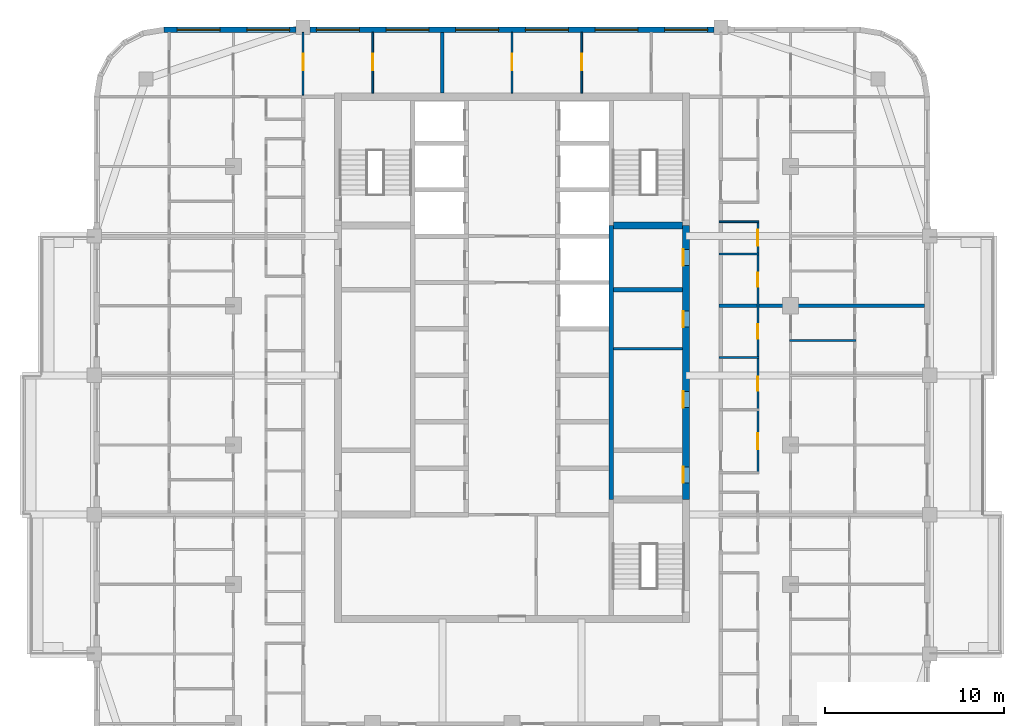
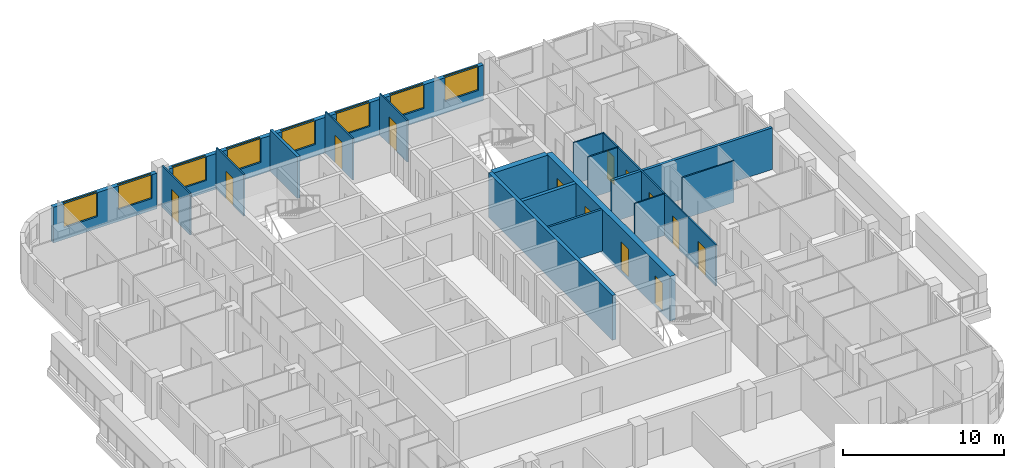
# One storey, part 10 of 16: 18 walls, 13 doors, 8 windows, 21 openings.
"""IFC4 building model written with IfcOpenShell, lengths in metres."""

from ifc_helpers import new_model, si_unit, direction, frame, frame_2d, origin, place, context, subcontext, project, spatial, rectangle, extrude, material, layer, layer_set, type_object, element, fill, save


model = new_model("IFC4")

# Units and contexts
model_context = context("Model", 3, precision=1e-05, world=origin(), true_north=direction((0.0, 1.0)))
body_context = subcontext(model_context, "Body", "Model", "MODEL_VIEW")
ifc_project = project(units=[si_unit("LENGTHUNIT", "METRE"), si_unit("AREAUNIT", "SQUARE_METRE"), si_unit("VOLUMEUNIT", "CUBIC_METRE"), si_unit("PLANEANGLEUNIT", "RADIAN"), si_unit("MASSUNIT", "GRAM", prefix="KILO")], contexts=[model_context])

# Site, building, storey
site_placement = place(None, origin())
site = spatial("IfcSite", under=ifc_project, at=site_placement, CompositionType="ELEMENT")
building_placement = place(site_placement, origin())
building = spatial("IfcBuilding", under=site, at=building_placement, Name="Ludao Terraces", CompositionType="ELEMENT")
storey_placement = place(building_placement, frame((0.0, 0.0, 204.10009765625)))
storey = spatial("IfcBuildingStorey", under=building, at=storey_placement, Name="L55", CompositionType="ELEMENT", Elevation=204.10009765625)

# Wall, openings, doors
ifc_material_1 = material(Name="Concrete C50", Category="concrete")
ifc_layer_1 = layer(ifc_material_1, 0.39990234375)
ifc_layer_set_1 = layer_set([ifc_layer_1], Name="Core wall 400 C50")
wall_type_1 = type_object("IfcWallType", Name="Core wall 400 C50", PredefinedType="SOLIDWALL", material=ifc_layer_set_1)
wall_1_placement = place(storey_placement, frame((94.75, 61.949951171875, -0.25), z_axis=(0.0, 0.0, 1.0), x_axis=(0.0, 1.0, 0.0)))
wall_1 = element("IfcWall", 1, at=wall_1_placement, inside=storey, type_object=wall_type_1, Name="Core wall L55 outer-E", PredefinedType="SOLIDWALL", context=body_context, shape_type="SweptSolid", body=[
    extrude(rectangle(XDim=15.35009765625, YDim=0.39990234375, at=frame_2d((7.675048828125, 0.0))), origin(), (0.0, 0.0, 1.0), 3.39990234375),
])
opening_1_placement = place(wall_1_placement, frame((0.925048828125, 0.0, 0.25)))
opening_1 = element("IfcOpeningElement", 2, at=opening_1_placement, cuts=wall_1, Name="Opening R20-058", PredefinedType="OPENING", context=body_context, shape_type="SweptSolid", body=[
    extrude(rectangle(XDim=0.89990234375, YDim=2.10009765625, at=frame_2d((0.449951171875, 1.050048828125))), frame((0.0, 0.2099609375, 0.0), z_axis=(0.0, -1.0, 0.0), x_axis=(1.0, 0.0, 0.0)), (0.0, 0.0, 1.0), 0.419921875),
])
opening_2_placement = place(wall_1_placement, frame((5.14990234375, 0.0, 0.25)))
opening_2 = element("IfcOpeningElement", 3, at=opening_2_placement, cuts=wall_1, Name="Opening R20-071", PredefinedType="OPENING", context=body_context, shape_type="SweptSolid", body=[
    extrude(rectangle(XDim=0.89990234375, YDim=2.10009765625, at=frame_2d((0.449951171875, 1.050048828125))), frame((0.0, 0.2099609375, 0.0), z_axis=(0.0, -1.0, 0.0), x_axis=(1.0, 0.0, 0.0)), (0.0, 0.0, 1.0), 0.419921875),
])
opening_3_placement = place(wall_1_placement, frame((9.64990234375, 0.0, 0.25)))
opening_3 = element("IfcOpeningElement", 4, at=opening_3_placement, cuts=wall_1, Name="Opening R20-086", PredefinedType="OPENING", context=body_context, shape_type="SweptSolid", body=[
    extrude(rectangle(XDim=0.89990234375, YDim=2.10009765625, at=frame_2d((0.449951171875, 1.050048828125))), frame((0.0, 0.2099609375, 0.0), z_axis=(0.0, -1.0, 0.0), x_axis=(1.0, 0.0, 0.0)), (0.0, 0.0, 1.0), 0.419921875),
])
opening_4_placement = place(wall_1_placement, frame((13.10009765625, 0.0, 0.25)))
opening_4 = element("IfcOpeningElement", 5, at=opening_4_placement, cuts=wall_1, Name="Opening R20-097", PredefinedType="OPENING", context=body_context, shape_type="SweptSolid", body=[
    extrude(rectangle(XDim=0.89990234375, YDim=2.10009765625, at=frame_2d((0.449951171875, 1.050048828125))), frame((0.0, 0.2099609375, 0.0), z_axis=(0.0, -1.0, 0.0), x_axis=(1.0, 0.0, 0.0)), (0.0, 0.0, 1.0), 0.419921875),
])
ifc_material_2 = material(Name="Steel Q235", Category="steel")
door_type_1 = type_object("IfcDoorType", Name="INT Riser door 900", OperationType="SINGLE_SWING_LEFT", PredefinedType="DOOR", material=ifc_material_2)
door_1_placement = place(opening_1_placement, origin())
door_1 = element("IfcDoor", 6, at=door_1_placement, inside=storey, type_object=door_type_1, Name="DOOR 058", OperationType="SINGLE_SWING_LEFT", OverallHeight=2.10009765625, OverallWidth=0.89990234375, PredefinedType="DOOR", context=body_context, shape_type="SweptSolid", body=[
    extrude(rectangle(XDim=0.89990234375, YDim=2.10009765625, at=frame_2d((0.449951171875, 1.050048828125))), frame((0.0, 0.18505859375, 0.0), z_axis=(0.0, -1.0, 0.0), x_axis=(1.0, 0.0, 0.0)), (0.0, 0.0, 1.0), 0.050048828125),
])
fill(opening_1, door_1)
door_2_placement = place(opening_4_placement, origin())
door_2 = element("IfcDoor", 7, at=door_2_placement, inside=storey, type_object=door_type_1, Name="DOOR 097", OperationType="SINGLE_SWING_RIGHT", OverallHeight=2.10009765625, OverallWidth=0.89990234375, PredefinedType="DOOR", context=body_context, shape_type="SweptSolid", body=[
    extrude(rectangle(XDim=0.89990234375, YDim=2.10009765625, at=frame_2d((0.449951171875, 1.050048828125))), frame((0.0, 0.18505859375, 0.0), z_axis=(0.0, -1.0, 0.0), x_axis=(1.0, 0.0, 0.0)), (0.0, 0.0, 1.0), 0.050048828125),
])
fill(opening_4, door_2)
ifc_material_3 = material(Name="Timber door leaf", Category="wood")
door_type_2 = type_object("IfcDoorType", Name="INT Room door 900", OperationType="SINGLE_SWING_LEFT", PredefinedType="DOOR", material=ifc_material_3)
door_3_placement = place(opening_2_placement, origin())
door_3 = element("IfcDoor", 8, at=door_3_placement, inside=storey, type_object=door_type_2, Name="DOOR 071", OperationType="SINGLE_SWING_LEFT", OverallHeight=2.10009765625, OverallWidth=0.89990234375, PredefinedType="DOOR", context=body_context, shape_type="SweptSolid", body=[
    extrude(rectangle(XDim=0.89990234375, YDim=2.10009765625, at=frame_2d((0.449951171875, 1.050048828125))), frame((0.0, 0.18505859375, 0.0), z_axis=(0.0, -1.0, 0.0), x_axis=(1.0, 0.0, 0.0)), (0.0, 0.0, 1.0), 0.050048828125),
])
fill(opening_2, door_3)
door_4_placement = place(opening_3_placement, origin())
door_4 = element("IfcDoor", 9, at=door_4_placement, inside=storey, type_object=door_type_2, Name="DOOR 086", OperationType="SINGLE_SWING_LEFT", OverallHeight=2.10009765625, OverallWidth=0.89990234375, PredefinedType="DOOR", context=body_context, shape_type="SweptSolid", body=[
    extrude(rectangle(XDim=0.89990234375, YDim=2.10009765625, at=frame_2d((0.449951171875, 1.050048828125))), frame((0.0, 0.18505859375, 0.0), z_axis=(0.0, -1.0, 0.0), x_axis=(1.0, 0.0, 0.0)), (0.0, 0.0, 1.0), 0.050048828125),
])
fill(opening_3, door_4)

# Wall, openings, windows
ifc_material_4 = material(Name="Granite cladding", Category="masonry")
ifc_layer_2 = layer(ifc_material_4, 0.0400390625, Category="stone")
ifc_material_5 = material(Name="Mineral wool")
ifc_layer_3 = layer(ifc_material_5, 0.06005859375)
ifc_material_6 = material(Name="Concrete C40", Category="concrete")
ifc_layer_4 = layer(ifc_material_6, 0.199951171875, Category="concrete")
ifc_layer_set_2 = layer_set([ifc_layer_2, ifc_layer_3, ifc_layer_4], Name="ENV Stone-clad wall 300")
wall_type_2 = type_object("IfcWallType", Name="ENV Stone-clad wall 300", PredefinedType="SOLIDWALL", material=ifc_layer_set_2)
wall_2_placement = place(storey_placement, frame((65.5, 88.25, 0.0), z_axis=(0.0, 0.0, 1.0), x_axis=(1.0, 0.0, 0.0)))
wall_2 = element("IfcWall", 10, at=wall_2_placement, inside=storey, type_object=wall_type_2, Name="EW-L55-N1", PredefinedType="SOLIDWALL", context=body_context, shape_type="SweptSolid", body=[
    extrude(rectangle(XDim=7.39990234375, YDim=0.300048828125, at=frame_2d((3.699951171875, 0.0))), origin(), (0.0, 0.0, 1.0), 2.699951171875),
])
opening_5_placement = place(wall_2_placement, frame((0.75, 0.0, 0.89990234375)))
opening_5 = element("IfcOpeningElement", 11, at=opening_5_placement, cuts=wall_2, Name="Opening W1", PredefinedType="OPENING", context=body_context, shape_type="SweptSolid", body=[
    extrude(rectangle(XDim=2.39990234375, YDim=1.800048828125, at=frame_2d((1.199951171875, 0.89990234375))), frame((0.0, 0.16015625, 0.0), z_axis=(0.0, -1.0, 0.0), x_axis=(1.0, 0.0, 0.0)), (0.0, 0.0, 1.0), 0.320068359375),
])
opening_6_placement = place(wall_2_placement, frame((4.64990234375, 0.0, 0.89990234375)))
opening_6 = element("IfcOpeningElement", 12, at=opening_6_placement, cuts=wall_2, Name="Opening W1", PredefinedType="OPENING", context=body_context, shape_type="SweptSolid", body=[
    extrude(rectangle(XDim=2.39990234375, YDim=1.800048828125, at=frame_2d((1.199951171875, 0.89990234375))), frame((0.0, 0.16015625, 0.0), z_axis=(0.0, -1.0, 0.0), x_axis=(1.0, 0.0, 0.0)), (0.0, 0.0, 1.0), 0.320068359375),
])
ifc_material_7 = material(Name="Clear glass in aluminium frame", Category="aluminium")
ifc_layer_5 = layer(ifc_material_7, 0.06005859375)
ifc_layer_set_3 = layer_set([ifc_layer_5], Name="ENV Window W1 2400x1800")
window_type = type_object("IfcWindowType", Name="ENV Window W1 2400x1800", PartitioningType="DOUBLE_PANEL_VERTICAL", PredefinedType="WINDOW", material=ifc_layer_set_3)
window_1_placement = place(opening_5_placement, origin())
window_1 = element("IfcWindow", 13, at=window_1_placement, inside=storey, type_object=window_type, Name="W-L55-N1-1", OverallHeight=1.800048828125, OverallWidth=2.39990234375, PartitioningType="DOUBLE_PANEL_VERTICAL", PredefinedType="WINDOW", context=body_context, shape_type="SweptSolid", body=[
    extrude(rectangle(XDim=2.39990234375, YDim=1.800048828125, at=frame_2d((1.199951171875, 0.89990234375))), frame((0.0, 0.030029296875, 0.0), z_axis=(0.0, -1.0, 0.0), x_axis=(1.0, 0.0, 0.0)), (0.0, 0.0, 1.0), 0.06005859375),
])
fill(opening_5, window_1)
window_2_placement = place(opening_6_placement, origin())
window_2 = element("IfcWindow", 14, at=window_2_placement, inside=storey, type_object=window_type, Name="W-L55-N1-2", OverallHeight=1.800048828125, OverallWidth=2.39990234375, PartitioningType="DOUBLE_PANEL_VERTICAL", PredefinedType="WINDOW", context=body_context, shape_type="SweptSolid", body=[
    extrude(rectangle(XDim=2.39990234375, YDim=1.800048828125, at=frame_2d((1.199951171875, 0.89990234375))), frame((0.0, 0.030029296875, 0.0), z_axis=(0.0, -1.0, 0.0), x_axis=(1.0, 0.0, 0.0)), (0.0, 0.0, 1.0), 0.06005859375),
])
fill(opening_6, window_2)

wall_3_placement = place(storey_placement, frame((73.699951171875, 88.25, 0.0), z_axis=(0.0, 0.0, 1.0), x_axis=(1.0, 0.0, 0.0)))
wall_3 = element("IfcWall", 15, at=wall_3_placement, inside=storey, type_object=wall_type_2, Name="EW-L55-N2", PredefinedType="SOLIDWALL", context=body_context, shape_type="SweptSolid", body=[
    extrude(rectangle(XDim=22.60009765625, YDim=0.300048828125, at=frame_2d((11.300048828125, 0.0))), origin(), (0.0, 0.0, 1.0), 2.699951171875),
])
opening_7_placement = place(wall_3_placement, frame((0.35009765625, 0.0, 0.89990234375)))
opening_7 = element("IfcOpeningElement", 16, at=opening_7_placement, cuts=wall_3, Name="Opening W1", PredefinedType="OPENING", context=body_context, shape_type="SweptSolid", body=[
    extrude(rectangle(XDim=2.39990234375, YDim=1.800048828125, at=frame_2d((1.199951171875, 0.89990234375))), frame((0.0, 0.16015625, 0.0), z_axis=(0.0, -1.0, 0.0), x_axis=(1.0, 0.0, 0.0)), (0.0, 0.0, 1.0), 0.320068359375),
])
opening_8_placement = place(wall_3_placement, frame((4.25, 0.0, 0.89990234375)))
opening_8 = element("IfcOpeningElement", 17, at=opening_8_placement, cuts=wall_3, Name="Opening W1", PredefinedType="OPENING", context=body_context, shape_type="SweptSolid", body=[
    extrude(rectangle(XDim=2.39990234375, YDim=1.800048828125, at=frame_2d((1.199951171875, 0.89990234375))), frame((0.0, 0.16015625, 0.0), z_axis=(0.0, -1.0, 0.0), x_axis=(1.0, 0.0, 0.0)), (0.0, 0.0, 1.0), 0.320068359375),
])
opening_9_placement = place(wall_3_placement, frame((8.14990234375, 0.0, 0.89990234375)))
opening_9 = element("IfcOpeningElement", 18, at=opening_9_placement, cuts=wall_3, Name="Opening W1", PredefinedType="OPENING", context=body_context, shape_type="SweptSolid", body=[
    extrude(rectangle(XDim=2.39990234375, YDim=1.800048828125, at=frame_2d((1.199951171875, 0.89990234375))), frame((0.0, 0.16015625, 0.0), z_axis=(0.0, -1.0, 0.0), x_axis=(1.0, 0.0, 0.0)), (0.0, 0.0, 1.0), 0.320068359375),
])
opening_10_placement = place(wall_3_placement, frame((12.050048828125, 0.0, 0.89990234375)))
opening_10 = element("IfcOpeningElement", 19, at=opening_10_placement, cuts=wall_3, Name="Opening W1", PredefinedType="OPENING", context=body_context, shape_type="SweptSolid", body=[
    extrude(rectangle(XDim=2.39990234375, YDim=1.800048828125, at=frame_2d((1.199951171875, 0.89990234375))), frame((0.0, 0.16015625, 0.0), z_axis=(0.0, -1.0, 0.0), x_axis=(1.0, 0.0, 0.0)), (0.0, 0.0, 1.0), 0.320068359375),
])
opening_11_placement = place(wall_3_placement, frame((15.949951171875, 0.0, 0.89990234375)))
opening_11 = element("IfcOpeningElement", 20, at=opening_11_placement, cuts=wall_3, Name="Opening W1", PredefinedType="OPENING", context=body_context, shape_type="SweptSolid", body=[
    extrude(rectangle(XDim=2.39990234375, YDim=1.800048828125, at=frame_2d((1.199951171875, 0.89990234375))), frame((0.0, 0.16015625, 0.0), z_axis=(0.0, -1.0, 0.0), x_axis=(1.0, 0.0, 0.0)), (0.0, 0.0, 1.0), 0.320068359375),
])
opening_12_placement = place(wall_3_placement, frame((19.85009765625, 0.0, 0.89990234375)))
opening_12 = element("IfcOpeningElement", 21, at=opening_12_placement, cuts=wall_3, Name="Opening W1", PredefinedType="OPENING", context=body_context, shape_type="SweptSolid", body=[
    extrude(rectangle(XDim=2.39990234375, YDim=1.800048828125, at=frame_2d((1.199951171875, 0.89990234375))), frame((0.0, 0.16015625, 0.0), z_axis=(0.0, -1.0, 0.0), x_axis=(1.0, 0.0, 0.0)), (0.0, 0.0, 1.0), 0.320068359375),
])
window_3_placement = place(opening_7_placement, origin())
window_3 = element("IfcWindow", 22, at=window_3_placement, inside=storey, type_object=window_type, Name="W-L55-N2-1", OverallHeight=1.800048828125, OverallWidth=2.39990234375, PartitioningType="DOUBLE_PANEL_VERTICAL", PredefinedType="WINDOW", context=body_context, shape_type="SweptSolid", body=[
    extrude(rectangle(XDim=2.39990234375, YDim=1.800048828125, at=frame_2d((1.199951171875, 0.89990234375))), frame((0.0, 0.030029296875, 0.0), z_axis=(0.0, -1.0, 0.0), x_axis=(1.0, 0.0, 0.0)), (0.0, 0.0, 1.0), 0.06005859375),
])
fill(opening_7, window_3)
window_4_placement = place(opening_8_placement, origin())
window_4 = element("IfcWindow", 23, at=window_4_placement, inside=storey, type_object=window_type, Name="W-L55-N2-2", OverallHeight=1.800048828125, OverallWidth=2.39990234375, PartitioningType="DOUBLE_PANEL_VERTICAL", PredefinedType="WINDOW", context=body_context, shape_type="SweptSolid", body=[
    extrude(rectangle(XDim=2.39990234375, YDim=1.800048828125, at=frame_2d((1.199951171875, 0.89990234375))), frame((0.0, 0.030029296875, 0.0), z_axis=(0.0, -1.0, 0.0), x_axis=(1.0, 0.0, 0.0)), (0.0, 0.0, 1.0), 0.06005859375),
])
fill(opening_8, window_4)
window_5_placement = place(opening_9_placement, origin())
window_5 = element("IfcWindow", 24, at=window_5_placement, inside=storey, type_object=window_type, Name="W-L55-N2-3", OverallHeight=1.800048828125, OverallWidth=2.39990234375, PartitioningType="DOUBLE_PANEL_VERTICAL", PredefinedType="WINDOW", context=body_context, shape_type="SweptSolid", body=[
    extrude(rectangle(XDim=2.39990234375, YDim=1.800048828125, at=frame_2d((1.199951171875, 0.89990234375))), frame((0.0, 0.030029296875, 0.0), z_axis=(0.0, -1.0, 0.0), x_axis=(1.0, 0.0, 0.0)), (0.0, 0.0, 1.0), 0.06005859375),
])
fill(opening_9, window_5)
window_6_placement = place(opening_10_placement, origin())
window_6 = element("IfcWindow", 25, at=window_6_placement, inside=storey, type_object=window_type, Name="W-L55-N2-4", OverallHeight=1.800048828125, OverallWidth=2.39990234375, PartitioningType="DOUBLE_PANEL_VERTICAL", PredefinedType="WINDOW", context=body_context, shape_type="SweptSolid", body=[
    extrude(rectangle(XDim=2.39990234375, YDim=1.800048828125, at=frame_2d((1.199951171875, 0.89990234375))), frame((0.0, 0.030029296875, 0.0), z_axis=(0.0, -1.0, 0.0), x_axis=(1.0, 0.0, 0.0)), (0.0, 0.0, 1.0), 0.06005859375),
])
fill(opening_10, window_6)
window_7_placement = place(opening_11_placement, origin())
window_7 = element("IfcWindow", 26, at=window_7_placement, inside=storey, type_object=window_type, Name="W-L55-N2-5", OverallHeight=1.800048828125, OverallWidth=2.39990234375, PartitioningType="DOUBLE_PANEL_VERTICAL", PredefinedType="WINDOW", context=body_context, shape_type="SweptSolid", body=[
    extrude(rectangle(XDim=2.39990234375, YDim=1.800048828125, at=frame_2d((1.199951171875, 0.89990234375))), frame((0.0, 0.030029296875, 0.0), z_axis=(0.0, -1.0, 0.0), x_axis=(1.0, 0.0, 0.0)), (0.0, 0.0, 1.0), 0.06005859375),
])
fill(opening_11, window_7)
window_8_placement = place(opening_12_placement, origin())
window_8 = element("IfcWindow", 27, at=window_8_placement, inside=storey, type_object=window_type, Name="W-L55-N2-6", OverallHeight=1.800048828125, OverallWidth=2.39990234375, PartitioningType="DOUBLE_PANEL_VERTICAL", PredefinedType="WINDOW", context=body_context, shape_type="SweptSolid", body=[
    extrude(rectangle(XDim=2.39990234375, YDim=1.800048828125, at=frame_2d((1.199951171875, 0.89990234375))), frame((0.0, 0.030029296875, 0.0), z_axis=(0.0, -1.0, 0.0), x_axis=(1.0, 0.0, 0.0)), (0.0, 0.0, 1.0), 0.06005859375),
])
fill(opening_12, window_8)

# Walls
ifc_material_8 = material(Name="Fire-rated gypsum plasterboard", Category="gypsum")
ifc_layer_6 = layer(ifc_material_8, 0.012451171875, Category="gypsum")
ifc_layer_7 = layer(ifc_material_5, 0.10009765625, Name="insulation")
ifc_layer_8 = layer(ifc_material_2, 0.02490234375, Name="stud")
ifc_layer_9 = layer(ifc_material_8, 0.012451171875, Category="gypsum")
ifc_layer_set_4 = layer_set([ifc_layer_6, ifc_layer_7, ifc_layer_8, ifc_layer_9], Name="INT Core partition 150")
wall_type_3 = type_object("IfcWallType", Name="INT Core partition 150", PredefinedType="PARTITIONING", material=ifc_layer_set_4)
wall_4_placement = place(storey_placement, frame((90.675048828125, 70.39990234375, 0.0), z_axis=(0.0, 0.0, 1.0), x_axis=(1.0, 0.0, 0.0)))
element("IfcWall", 28, at=wall_4_placement, inside=storey, type_object=wall_type_3, Name="PW-L55-PW042", PredefinedType="PARTITIONING", context=body_context, shape_type="SweptSolid", body=[
    extrude(rectangle(XDim=3.875, YDim=0.14990234375, at=frame_2d((1.9375, 0.0))), origin(), (0.0, 0.0, 1.0), 3.14990234375),
])
ifc_material_9 = material(Name="Gypsum plasterboard", Category="gypsum")
ifc_layer_10 = layer(ifc_material_9, 0.012451171875, Category="gypsum")
ifc_layer_11 = layer(ifc_material_5, 0.06005859375, Name="insulation")
ifc_layer_12 = layer(ifc_material_2, 0.014892578125, Name="stud")
ifc_layer_13 = layer(ifc_material_9, 0.012451171875, Category="gypsum")
ifc_layer_set_5 = layer_set([ifc_layer_10, ifc_layer_11, ifc_layer_12, ifc_layer_13], Name="INT Partition 100")
wall_type_4 = type_object("IfcWallType", Name="INT Partition 100", PredefinedType="PARTITIONING", material=ifc_layer_set_5)
wall_5_placement = place(storey_placement, frame((96.60009765625, 69.89990234375, 0.0), z_axis=(0.0, 0.0, 1.0), x_axis=(1.0, 0.0, 0.0)))
element("IfcWall", 29, at=wall_5_placement, inside=storey, type_object=wall_type_4, Name="PW-L55-PW040", PredefinedType="PARTITIONING", context=body_context, shape_type="SweptSolid", body=[
    extrude(rectangle(XDim=2.219970703125, YDim=0.10009765625, at=frame_2d((1.10986328125, 0.0))), origin(), (0.0, 0.0, 1.0), 3.14990234375),
])
wall_6_placement = place(storey_placement, frame((100.550048828125, 70.85009765625, 0.0), z_axis=(0.0, 0.0, 1.0), x_axis=(1.0, 0.0, 0.0)))
element("IfcWall", 30, at=wall_6_placement, inside=storey, type_object=wall_type_4, Name="PW-L55-PW043", PredefinedType="PARTITIONING", context=body_context, shape_type="SweptSolid", body=[
    extrude(rectangle(XDim=3.699951171875, YDim=0.10009765625, at=frame_2d((1.85009765625, 0.0))), origin(), (0.0, 0.0, 1.0), 3.14990234375),
])
for number, where, z_axis, x_axis, name in (
    (31, (96.60009765625, 75.699951171875, 0.0), (0.0, 0.0, 1.0), (1.0, 0.0, 0.0), "PW-L55-PW051"),
    (32, (96.60009765625, 77.5, 0.0), (0.0, 0.0, 1.0), (1.0, 0.0, 0.0), "PW-L55-PW055"),
):
    element("IfcWall", number, at=place(storey_placement, frame(where, z_axis=z_axis, x_axis=x_axis)), inside=storey, type_object=wall_type_4, Name=name, PredefinedType="PARTITIONING", context=body_context, shape_type="SweptSolid", body=[
        extrude(rectangle(XDim=2.219970703125, YDim=0.10009765625, at=frame_2d((1.10986328125, 0.0))), origin(), (0.0, 0.0, 1.0), 3.14990234375),
    ])

# Wall, opening, door
wall_7_placement = place(storey_placement, frame((73.300048828125, 84.60009765625, 0.0), z_axis=(0.0, 0.0, 1.0), x_axis=(0.0, 1.0, 0.0)))
wall_7 = element("IfcWall", 33, at=wall_7_placement, inside=storey, type_object=wall_type_4, Name="PW-L55-PW079", PredefinedType="PARTITIONING", context=body_context, shape_type="SweptSolid", body=[
    extrude(rectangle(XDim=3.5, YDim=0.10009765625, at=frame_2d((1.75, 0.0))), origin(), (0.0, 0.0, 1.0), 3.14990234375),
])
opening_13_placement = place(wall_7_placement, frame((1.39990234375, 0.0, 0.0)))
opening_13 = element("IfcOpeningElement", 34, at=opening_13_placement, cuts=wall_7, Name="Opening R20-135", PredefinedType="OPENING", context=body_context, shape_type="SweptSolid", body=[
    extrude(rectangle(XDim=0.89990234375, YDim=2.10009765625, at=frame_2d((0.449951171875, 1.050048828125))), frame((0.0, 0.06005859375, 0.0), z_axis=(0.0, -1.0, 0.0), x_axis=(1.0, 0.0, 0.0)), (0.0, 0.0, 1.0), 0.1201171875),
])
door_5_placement = place(opening_13_placement, origin())
door_5 = element("IfcDoor", 35, at=door_5_placement, inside=storey, type_object=door_type_2, Name="DOOR 135", OperationType="SINGLE_SWING_LEFT", OverallHeight=2.10009765625, OverallWidth=0.89990234375, PredefinedType="DOOR", context=body_context, shape_type="SweptSolid", body=[
    extrude(rectangle(XDim=0.89990234375, YDim=2.10009765625, at=frame_2d((0.449951171875, 1.050048828125))), frame((0.0, 0.02490234375, 0.0), z_axis=(0.0, -1.0, 0.0), x_axis=(1.0, 0.0, 0.0)), (0.0, 0.0, 1.0), 0.050048828125),
])
fill(opening_13, door_5)

wall_8_placement = place(storey_placement, frame((77.199951171875, 84.7001953125, 0.0), z_axis=(0.0, 0.0, 1.0), x_axis=(0.0, 1.0, 0.0)))
wall_8 = element("IfcWall", 36, at=wall_8_placement, inside=storey, type_object=wall_type_4, Name="PW-L55-PW081", PredefinedType="PARTITIONING", context=body_context, shape_type="SweptSolid", body=[
    extrude(rectangle(XDim=3.39990234375, YDim=0.10009765625, at=frame_2d((1.699951171875, 0.0))), origin(), (0.0, 0.0, 1.0), 3.14990234375),
])
opening_14_placement = place(wall_8_placement, frame((1.2998046875, 0.0, 0.0)))
opening_14 = element("IfcOpeningElement", 37, at=opening_14_placement, cuts=wall_8, Name="Opening R20-136", PredefinedType="OPENING", context=body_context, shape_type="SweptSolid", body=[
    extrude(rectangle(XDim=0.89990234375, YDim=2.10009765625, at=frame_2d((0.449951171875, 1.050048828125))), frame((0.0, 0.06005859375, 0.0), z_axis=(0.0, -1.0, 0.0), x_axis=(1.0, 0.0, 0.0)), (0.0, 0.0, 1.0), 0.1201171875),
])
door_6_placement = place(opening_14_placement, origin())
door_6 = element("IfcDoor", 38, at=door_6_placement, inside=storey, type_object=door_type_2, Name="DOOR 136", OperationType="SINGLE_SWING_LEFT", OverallHeight=2.10009765625, OverallWidth=0.89990234375, PredefinedType="DOOR", context=body_context, shape_type="SweptSolid", body=[
    extrude(rectangle(XDim=0.89990234375, YDim=2.10009765625, at=frame_2d((0.449951171875, 1.050048828125))), frame((0.0, 0.02490234375, 0.0), z_axis=(0.0, -1.0, 0.0), x_axis=(1.0, 0.0, 0.0)), (0.0, 0.0, 1.0), 0.050048828125),
])
fill(opening_14, door_6)

wall_9_placement = place(storey_placement, frame((85.0, 84.7001953125, 0.0), z_axis=(0.0, 0.0, 1.0), x_axis=(0.0, 1.0, 0.0)))
wall_9 = element("IfcWall", 39, at=wall_9_placement, inside=storey, type_object=wall_type_4, Name="PW-L55-PW084", PredefinedType="PARTITIONING", context=body_context, shape_type="SweptSolid", body=[
    extrude(rectangle(XDim=3.39990234375, YDim=0.10009765625, at=frame_2d((1.699951171875, 0.0))), origin(), (0.0, 0.0, 1.0), 3.14990234375),
])
opening_15_placement = place(wall_9_placement, frame((1.2998046875, 0.0, 0.0)))
opening_15 = element("IfcOpeningElement", 40, at=opening_15_placement, cuts=wall_9, Name="Opening R20-137", PredefinedType="OPENING", context=body_context, shape_type="SweptSolid", body=[
    extrude(rectangle(XDim=0.89990234375, YDim=2.10009765625, at=frame_2d((0.449951171875, 1.050048828125))), frame((0.0, 0.06005859375, 0.0), z_axis=(0.0, -1.0, 0.0), x_axis=(1.0, 0.0, 0.0)), (0.0, 0.0, 1.0), 0.1201171875),
])
door_7_placement = place(opening_15_placement, origin())
door_7 = element("IfcDoor", 41, at=door_7_placement, inside=storey, type_object=door_type_2, Name="DOOR 137", OperationType="SINGLE_SWING_RIGHT", OverallHeight=2.10009765625, OverallWidth=0.89990234375, PredefinedType="DOOR", context=body_context, shape_type="SweptSolid", body=[
    extrude(rectangle(XDim=0.89990234375, YDim=2.10009765625, at=frame_2d((0.449951171875, 1.050048828125))), frame((0.0, 0.02490234375, 0.0), z_axis=(0.0, -1.0, 0.0), x_axis=(1.0, 0.0, 0.0)), (0.0, 0.0, 1.0), 0.050048828125),
])
fill(opening_15, door_7)

wall_10_placement = place(storey_placement, frame((88.89990234375, 84.7001953125, 0.0), z_axis=(0.0, 0.0, 1.0), x_axis=(0.0, 1.0, 0.0)))
wall_10 = element("IfcWall", 42, at=wall_10_placement, inside=storey, type_object=wall_type_4, Name="PW-L55-PW087", PredefinedType="PARTITIONING", context=body_context, shape_type="SweptSolid", body=[
    extrude(rectangle(XDim=3.39990234375, YDim=0.10009765625, at=frame_2d((1.699951171875, 0.0))), origin(), (0.0, 0.0, 1.0), 3.14990234375),
])
opening_16_placement = place(wall_10_placement, frame((1.2998046875, 0.0, 0.0)))
opening_16 = element("IfcOpeningElement", 43, at=opening_16_placement, cuts=wall_10, Name="Opening R20-138", PredefinedType="OPENING", context=body_context, shape_type="SweptSolid", body=[
    extrude(rectangle(XDim=0.89990234375, YDim=2.10009765625, at=frame_2d((0.449951171875, 1.050048828125))), frame((0.0, 0.06005859375, 0.0), z_axis=(0.0, -1.0, 0.0), x_axis=(1.0, 0.0, 0.0)), (0.0, 0.0, 1.0), 0.1201171875),
])
door_8_placement = place(opening_16_placement, origin())
door_8 = element("IfcDoor", 44, at=door_8_placement, inside=storey, type_object=door_type_2, Name="DOOR 138", OperationType="SINGLE_SWING_LEFT", OverallHeight=2.10009765625, OverallWidth=0.89990234375, PredefinedType="DOOR", context=body_context, shape_type="SweptSolid", body=[
    extrude(rectangle(XDim=0.89990234375, YDim=2.10009765625, at=frame_2d((0.449951171875, 1.050048828125))), frame((0.0, 0.02490234375, 0.0), z_axis=(0.0, -1.0, 0.0), x_axis=(1.0, 0.0, 0.0)), (0.0, 0.0, 1.0), 0.050048828125),
])
fill(opening_16, door_8)

# Wall, openings, doors
wall_11_placement = place(storey_placement, frame((98.77001953125, 63.5, 0.0), z_axis=(0.0, 0.0, 1.0), x_axis=(0.0, 1.0, 0.0)))
wall_11 = element("IfcWall", 45, at=wall_11_placement, inside=storey, type_object=wall_type_4, Name="PW-L55-PW094", PredefinedType="PARTITIONING", context=body_context, shape_type="SweptSolid", body=[
    extrude(rectangle(XDim=13.9501953125, YDim=0.10009765625, at=frame_2d((6.97509765625, 0.0))), origin(), (0.0, 0.0, 1.0), 3.14990234375),
])
opening_17_placement = place(wall_11_placement, frame((1.260009765625, 0.0, 0.0)))
opening_17 = element("IfcOpeningElement", 46, at=opening_17_placement, cuts=wall_11, Name="Opening R20-065", PredefinedType="OPENING", context=body_context, shape_type="SweptSolid", body=[
    extrude(rectangle(XDim=0.89990234375, YDim=2.10009765625, at=frame_2d((0.449951171875, 1.050048828125))), frame((0.0, 0.06005859375, 0.0), z_axis=(0.0, -1.0, 0.0), x_axis=(1.0, 0.0, 0.0)), (0.0, 0.0, 1.0), 0.1201171875),
])
opening_18_placement = place(wall_11_placement, frame((4.53515625, 0.0, 0.0)))
opening_18 = element("IfcOpeningElement", 47, at=opening_18_placement, cuts=wall_11, Name="Opening R20-074", PredefinedType="OPENING", context=body_context, shape_type="SweptSolid", body=[
    extrude(rectangle(XDim=0.800048828125, YDim=2.10009765625, at=frame_2d((0.39990234375, 1.050048828125))), frame((0.0, 0.06005859375, 0.0), z_axis=(0.0, -1.0, 0.0), x_axis=(1.0, 0.0, 0.0)), (0.0, 0.0, 1.0), 0.1201171875),
])
opening_19_placement = place(wall_11_placement, frame((7.4501953125, 0.0, 0.0)))
opening_19 = element("IfcOpeningElement", 48, at=opening_19_placement, cuts=wall_11, Name="Opening R20-082", PredefinedType="OPENING", context=body_context, shape_type="SweptSolid", body=[
    extrude(rectangle(XDim=0.800048828125, YDim=2.10009765625, at=frame_2d((0.39990234375, 1.050048828125))), frame((0.0, 0.06005859375, 0.0), z_axis=(0.0, -1.0, 0.0), x_axis=(1.0, 0.0, 0.0)), (0.0, 0.0, 1.0), 0.1201171875),
])
opening_20_placement = place(wall_11_placement, frame((10.35009765625, 0.0, 0.0)))
opening_20 = element("IfcOpeningElement", 49, at=opening_20_placement, cuts=wall_11, Name="Opening R20-092", PredefinedType="OPENING", context=body_context, shape_type="SweptSolid", body=[
    extrude(rectangle(XDim=0.800048828125, YDim=2.10009765625, at=frame_2d((0.39990234375, 1.050048828125))), frame((0.0, 0.06005859375, 0.0), z_axis=(0.0, -1.0, 0.0), x_axis=(1.0, 0.0, 0.0)), (0.0, 0.0, 1.0), 0.1201171875),
])
opening_21_placement = place(wall_11_placement, frame((12.650146484375, 0.0, 0.0)))
opening_21 = element("IfcOpeningElement", 50, at=opening_21_placement, cuts=wall_11, Name="Opening R20-103", PredefinedType="OPENING", context=body_context, shape_type="SweptSolid", body=[
    extrude(rectangle(XDim=0.89990234375, YDim=2.10009765625, at=frame_2d((0.449951171875, 1.050048828125))), frame((0.0, 0.06005859375, 0.0), z_axis=(0.0, -1.0, 0.0), x_axis=(1.0, 0.0, 0.0)), (0.0, 0.0, 1.0), 0.1201171875),
])
door_type_3 = type_object("IfcDoorType", Name="INT Bathroom door 900", OperationType="SINGLE_SWING_LEFT", PredefinedType="DOOR", material=ifc_material_3)
door_9_placement = place(opening_21_placement, origin())
door_9 = element("IfcDoor", 51, at=door_9_placement, inside=storey, type_object=door_type_3, Name="DOOR 103", OperationType="SINGLE_SWING_LEFT", OverallHeight=2.10009765625, OverallWidth=0.89990234375, PredefinedType="DOOR", context=body_context, shape_type="SweptSolid", body=[
    extrude(rectangle(XDim=0.89990234375, YDim=2.10009765625, at=frame_2d((0.449951171875, 1.050048828125))), frame((0.0, 0.02490234375, 0.0), z_axis=(0.0, -1.0, 0.0), x_axis=(1.0, 0.0, 0.0)), (0.0, 0.0, 1.0), 0.050048828125),
])
fill(opening_21, door_9)
door_10_placement = place(opening_17_placement, origin())
door_10 = element("IfcDoor", 52, at=door_10_placement, inside=storey, type_object=door_type_2, Name="DOOR 065", OperationType="SINGLE_SWING_LEFT", OverallHeight=2.10009765625, OverallWidth=0.89990234375, PredefinedType="DOOR", context=body_context, shape_type="SweptSolid", body=[
    extrude(rectangle(XDim=0.89990234375, YDim=2.10009765625, at=frame_2d((0.449951171875, 1.050048828125))), frame((0.0, 0.02490234375, 0.0), z_axis=(0.0, -1.0, 0.0), x_axis=(1.0, 0.0, 0.0)), (0.0, 0.0, 1.0), 0.050048828125),
])
fill(opening_17, door_10)
door_type_4 = type_object("IfcDoorType", Name="INT Store door 800", OperationType="SINGLE_SWING_LEFT", PredefinedType="DOOR", material=ifc_material_3)
door_11_placement = place(opening_18_placement, origin())
door_11 = element("IfcDoor", 53, at=door_11_placement, inside=storey, type_object=door_type_4, Name="DOOR 074", OperationType="SINGLE_SWING_RIGHT", OverallHeight=2.10009765625, OverallWidth=0.800048828125, PredefinedType="DOOR", context=body_context, shape_type="SweptSolid", body=[
    extrude(rectangle(XDim=0.800048828125, YDim=2.10009765625, at=frame_2d((0.39990234375, 1.050048828125))), frame((0.0, 0.02490234375, 0.0), z_axis=(0.0, -1.0, 0.0), x_axis=(1.0, 0.0, 0.0)), (0.0, 0.0, 1.0), 0.050048828125),
])
fill(opening_18, door_11)
door_12_placement = place(opening_19_placement, origin())
door_12 = element("IfcDoor", 54, at=door_12_placement, inside=storey, type_object=door_type_4, Name="DOOR 082", OperationType="SINGLE_SWING_LEFT", OverallHeight=2.10009765625, OverallWidth=0.800048828125, PredefinedType="DOOR", context=body_context, shape_type="SweptSolid", body=[
    extrude(rectangle(XDim=0.800048828125, YDim=2.10009765625, at=frame_2d((0.39990234375, 1.050048828125))), frame((0.0, 0.02490234375, 0.0), z_axis=(0.0, -1.0, 0.0), x_axis=(1.0, 0.0, 0.0)), (0.0, 0.0, 1.0), 0.050048828125),
])
fill(opening_19, door_12)
door_13_placement = place(opening_20_placement, origin())
door_13 = element("IfcDoor", 55, at=door_13_placement, inside=storey, type_object=door_type_4, Name="DOOR 092", OperationType="SINGLE_SWING_LEFT", OverallHeight=2.10009765625, OverallWidth=0.800048828125, PredefinedType="DOOR", context=body_context, shape_type="SweptSolid", body=[
    extrude(rectangle(XDim=0.800048828125, YDim=2.10009765625, at=frame_2d((0.39990234375, 1.050048828125))), frame((0.0, 0.02490234375, 0.0), z_axis=(0.0, -1.0, 0.0), x_axis=(1.0, 0.0, 0.0)), (0.0, 0.0, 1.0), 0.050048828125),
])
fill(opening_20, door_13)

# Walls
ifc_material_10 = material(Name="Autoclaved aerated concrete block B06 A3.5", Category="concrete")
ifc_layer_14 = layer(ifc_material_10, 0.199951171875)
ifc_layer_set_6 = layer_set([ifc_layer_14], Name="INT Party wall 200")
wall_type_5 = type_object("IfcWallType", Name="INT Party wall 200", PredefinedType="PARTITIONING", material=ifc_layer_set_6)
wall_12_placement = place(storey_placement, frame((96.60009765625, 72.800048828125, 0.0), z_axis=(0.0, 0.0, 1.0), x_axis=(1.0, 0.0, 0.0)))
element("IfcWall", 56, at=wall_12_placement, inside=storey, type_object=wall_type_5, Name="PW-L55-PW045", PredefinedType="PARTITIONING", context=body_context, shape_type="SweptSolid", body=[
    extrude(rectangle(XDim=11.5, YDim=0.199951171875, at=frame_2d((5.75, 0.0))), origin(), (0.0, 0.0, 1.0), 3.14990234375),
])
wall_13_placement = place(storey_placement, frame((81.10009765625, 84.7001953125, 0.0), z_axis=(0.0, 0.0, 1.0), x_axis=(0.0, 1.0, 0.0)))
element("IfcWall", 57, at=wall_13_placement, inside=storey, type_object=wall_type_5, Name="PW-L55-PW083", PredefinedType="PARTITIONING", context=body_context, shape_type="SweptSolid", body=[
    extrude(rectangle(XDim=3.39990234375, YDim=0.199951171875, at=frame_2d((1.699951171875, 0.0))), origin(), (0.0, 0.0, 1.0), 3.14990234375),
])
ifc_layer_15 = layer(ifc_material_1, 0.25)
ifc_layer_set_7 = layer_set([ifc_layer_15], Name="Shaft wall 250 C50")
wall_type_6 = type_object("IfcWallType", Name="Shaft wall 250 C50", PredefinedType="SOLIDWALL", material=ifc_layer_set_7)
wall_14_placement = place(storey_placement, frame((90.550048828125, 61.949951171875, -0.25), z_axis=(0.0, 0.0, 1.0), x_axis=(0.0, 1.0, 0.0)))
element("IfcWall", 58, at=wall_14_placement, inside=storey, type_object=wall_type_6, Name="Core wall L55 back-E", PredefinedType="SOLIDWALL", context=body_context, shape_type="SweptSolid", body=[
    extrude(rectangle(XDim=15.35009765625, YDim=0.25, at=frame_2d((7.675048828125, 0.0))), origin(), (0.0, 0.0, 1.0), 3.39990234375),
])
wall_15_placement = place(storey_placement, frame((90.675048828125, 73.699951171875, -0.25), z_axis=(0.0, 0.0, 1.0), x_axis=(1.0, 0.0, 0.0)))
element("IfcWall", 59, at=wall_15_placement, inside=storey, type_object=wall_type_6, Name="Core wall L55 riser-b-E", PredefinedType="SOLIDWALL", context=body_context, shape_type="SweptSolid", body=[
    extrude(rectangle(XDim=3.875, YDim=0.25, at=frame_2d((1.9375, 0.0))), origin(), (0.0, 0.0, 1.0), 3.39990234375),
])
ifc_layer_16 = layer(ifc_material_1, 0.39990234375)
ifc_layer_set_8 = layer_set([ifc_layer_16], Name="Shaft wall 400 C50")
wall_type_7 = type_object("IfcWallType", Name="Shaft wall 400 C50", PredefinedType="SOLIDWALL", material=ifc_layer_set_8)
wall_16_placement = place(storey_placement, frame((90.675048828125, 77.300048828125, -0.25), z_axis=(0.0, 0.0, 1.0), x_axis=(1.0, 0.0, 0.0)))
element("IfcWall", 60, at=wall_16_placement, inside=storey, type_object=wall_type_7, Name="Core wall L55 stair-E", PredefinedType="SOLIDWALL", context=body_context, shape_type="SweptSolid", body=[
    extrude(rectangle(XDim=3.875, YDim=0.39990234375, at=frame_2d((1.9375, 0.0))), origin(), (0.0, 0.0, 1.0), 3.39990234375),
])

save(model, "model.ifc")
